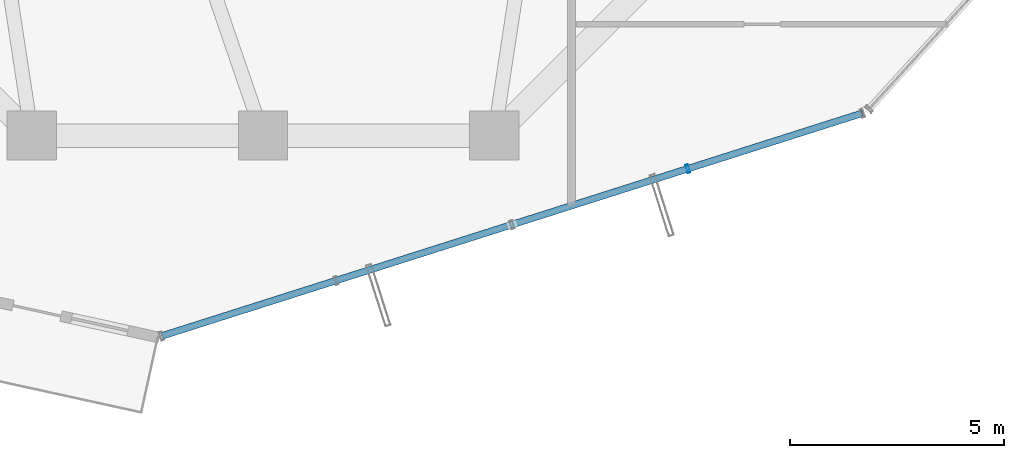
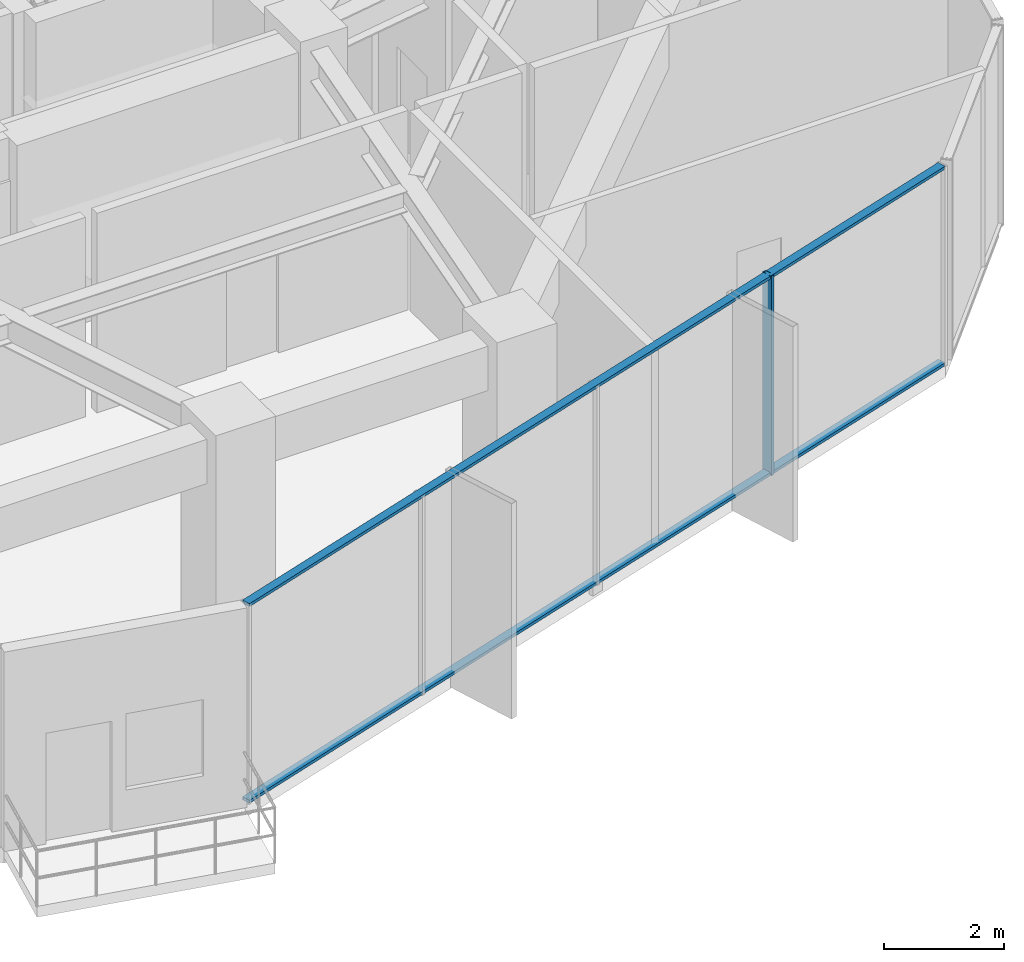
# One storey, part 8 of 28: 3 members, 1 element without a shape of its own.
"""IFC4 building model written with IfcOpenShell, lengths in metres."""

from ifc_helpers import new_model, si_unit, direction, frame, origin, origin_2d, place, context, subcontext, project, spatial, hollow_rectangle, extrude, source, transform, mapped, material, layer, layer_set, material_profile, profile_set, type_object, element, aggregate, save


model = new_model("IFC4")

# Units and contexts
model_context = context("Model", 3, precision=1e-05, world=origin(), true_north=direction((0.0, 1.0)))
body_context = subcontext(model_context, "Body", "Model", "MODEL_VIEW")
ifc_project = project(units=[si_unit("LENGTHUNIT", "METRE"), si_unit("AREAUNIT", "SQUARE_METRE"), si_unit("VOLUMEUNIT", "CUBIC_METRE"), si_unit("PLANEANGLEUNIT", "RADIAN"), si_unit("MASSUNIT", "GRAM", prefix="KILO")], contexts=[model_context])

# Site, building, storey
site_placement = place(None, origin())
site = spatial("IfcSite", under=ifc_project, at=site_placement, CompositionType="ELEMENT")
building_placement = place(site_placement, origin())
building = spatial("IfcBuilding", under=site, at=building_placement, Name="Veraguas Prism Commons", CompositionType="ELEMENT")
storey_placement = place(building_placement, frame((0.0, 0.0, 85.14990234375)))
storey = spatial("IfcBuildingStorey", under=building, at=storey_placement, Name="L23", CompositionType="ELEMENT", Elevation=85.14990234375)

# Curtain wall, members
ifc_material = material(Name="Anodised aluminium EN AW-6063 T6", Category="aluminium")
ifc_layer = layer(ifc_material, 0.199951171875, Name="Sky Lobby and Pool Acoustic Curtain Wall", Category="aluminium")
ifc_layer_set = layer_set([ifc_layer], Name="Anodised aluminium EN AW-6063 T6")
curtain_wall_type = type_object("IfcCurtainWallType", Name="Sky Lobby and Pool Acoustic Curtain Wall", PredefinedType="NOTDEFINED", material=ifc_layer_set)
curtain_wall_placement = place(storey_placement, origin())
curtain_wall = element("IfcCurtainWall", 1, at=curtain_wall_placement, inside=storey, type_object=curtain_wall_type, Name="Tower Facade Curtain Wall L23-F5", PredefinedType="NOTDEFINED")
ifc_material_profile_1 = material_profile(ifc_material, hollow_rectangle(XDim=0.06494140625, YDim=0.199951171875, WallThickness=0.00390625, at=origin_2d()), Name="AL65X200X4")
ifc_profile_set_1 = profile_set([ifc_material_profile_1], Name="Anodised aluminium EN AW-6063 T6")
member_type_1 = type_object("IfcMemberType", Name="Curtain Wall Mullion Heavy AL 65x200x4", PredefinedType="MULLION", material=ifc_profile_set_1)
shared_shape_1 = source(origin(), body_context, "Body", "SweptSolid", [
    extrude(hollow_rectangle(XDim=0.06494140625, YDim=0.199951171875, WallThickness=0.00390625, at=origin_2d()), origin(), (0.0, 0.0, 1.0), 4.050048828125),
])
member_1_placement = place(storey_placement, frame((33.9189453125, 7.025146484375, 0.0), z_axis=(0.0, 0.0, 1.0), x_axis=(0.952979341517, 0.303035269633, 0.0)))
member_1 = element("IfcMember", 2, at=member_1_placement, type_object=member_type_1, Name="CW-SKY Mullion 4", PredefinedType="MULLION", context=body_context, shape_type="MappedRepresentation", body=[
    mapped(shared_shape_1, transform((0.0, 0.0, 0.0), scale=1.0)),
])
ifc_material_profile_2 = material_profile(ifc_material, hollow_rectangle(XDim=0.06005859375, YDim=0.159912109375, WallThickness=0.0029296875, at=origin_2d()), Name="AL60X160X3")
ifc_profile_set_2 = profile_set([ifc_material_profile_2], Name="Anodised aluminium EN AW-6063 T6")
member_type_2 = type_object("IfcMemberType", Name="Curtain Wall Transom Heavy AL 60x160x3", PredefinedType="USERDEFINED", material=ifc_profile_set_2)
shared_shape_2 = source(origin(), body_context, "Body", "SweptSolid", [
    extrude(hollow_rectangle(XDim=0.06005859375, YDim=0.159912109375, WallThickness=0.0029296875, at=origin_2d()), origin(), (0.0, 0.0, 1.0), 17.169189453125),
])
member_2_placement = place(storey_placement, frame((21.632080078125, 3.1181640625, 0.030029296875), z_axis=(0.952978802678, 0.303036964157, 0.0), x_axis=(0.0, 0.0, 1.0)))
member_2 = element("IfcMember", 3, at=member_2_placement, type_object=member_type_2, Name="CW-SKY Transom 1", ObjectType="TRANSOM", PredefinedType="USERDEFINED", context=body_context, shape_type="MappedRepresentation", body=[
    mapped(shared_shape_2, transform((0.0, 0.0, 0.0), scale=1.0)),
])
member_3_placement = place(storey_placement, frame((21.632080078125, 3.1181640625, 4.02001953125), z_axis=(0.952978802678, 0.303036964157, 0.0), x_axis=(0.0, 0.0, 1.0)))
member_3 = element("IfcMember", 4, at=member_3_placement, type_object=member_type_2, Name="CW-SKY Transom 2", ObjectType="TRANSOM", PredefinedType="USERDEFINED", context=body_context, shape_type="MappedRepresentation", body=[
    mapped(shared_shape_2, transform((0.0, 0.0, 0.0), scale=1.0)),
])
aggregate(curtain_wall, [member_1, member_2, member_3])

save(model, "model.ifc")
